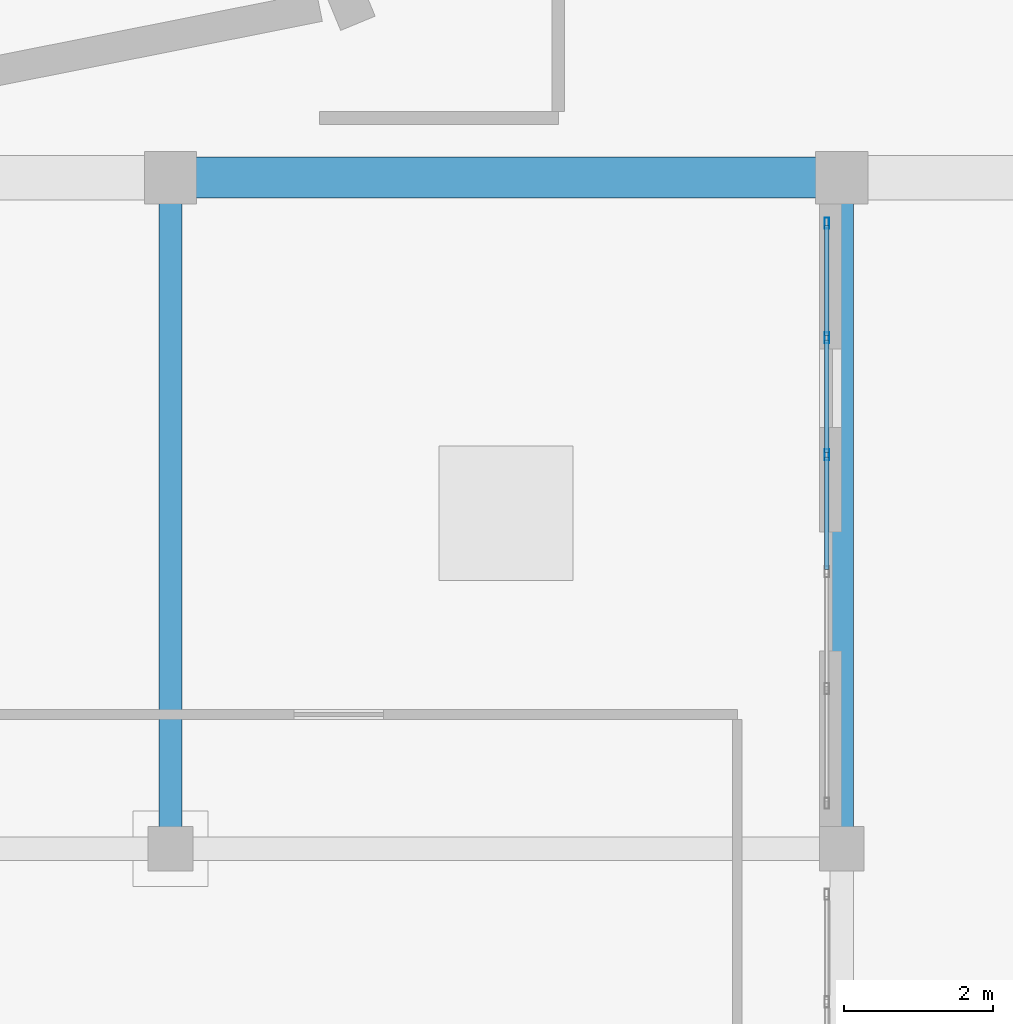
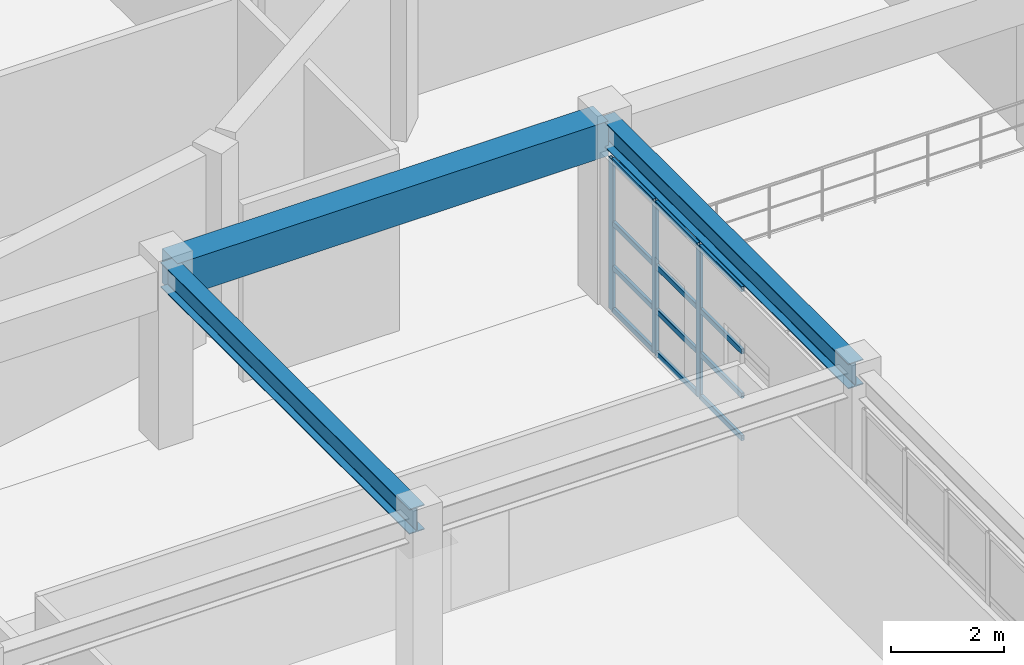
# One storey, part 42 of 110: 15 members, 3 beams, 1 element without a shape of its own.
"""IFC4 building model written with IfcOpenShell, lengths in metres."""

from ifc_helpers import new_model, si_unit, direction, frame, origin, origin_2d, place, context, subcontext, project, spatial, rectangle, hollow_rectangle, i_section, extrude, material, material_profile, profile_set, type_object, element, aggregate, save


model = new_model("IFC4")

# Units and contexts
model_context = context("Model", 3, precision=1e-05, world=origin(), true_north=direction((0.0, 1.0)))
body_context = subcontext(model_context, "Body", "Model", "MODEL_VIEW")
ifc_project = project(units=[si_unit("LENGTHUNIT", "METRE"), si_unit("AREAUNIT", "SQUARE_METRE"), si_unit("VOLUMEUNIT", "CUBIC_METRE"), si_unit("PLANEANGLEUNIT", "RADIAN"), si_unit("MASSUNIT", "GRAM", prefix="KILO")], contexts=[model_context])

# Site, building, storey
site_placement = place(None, origin())
site = spatial("IfcSite", under=ifc_project, at=site_placement, CompositionType="ELEMENT")
building_placement = place(site_placement, origin())
building = spatial("IfcBuilding", under=site, at=building_placement, Name="Miravela Opera House", CompositionType="ELEMENT")
storey_placement = place(building_placement, frame((0.0, 0.0, 13.60009765625)))
storey = spatial("IfcBuildingStorey", under=building, at=storey_placement, Name="L03", CompositionType="ELEMENT", Elevation=13.60009765625)

# Curtain wall, members
ifc_material_1 = material(Name="Anodised architectural bronze aluminium 6063-T6", Category="aluminium")
curtain_wall_type = type_object("IfcCurtainWallType", Name="ARC-CW-08", PredefinedType="NOTDEFINED", material=ifc_material_1)
curtain_wall_placement = place(storey_placement, origin())
curtain_wall = element("IfcCurtainWall", 1, at=curtain_wall_placement, inside=storey, type_object=curtain_wall_type, Name="Courtyard Arcade Curtain Wall CW-L03-203", PredefinedType="NOTDEFINED")
ifc_material_profile_1 = material_profile(ifc_material_1, hollow_rectangle(XDim=0.06005859375, YDim=0.14990234375, WallThickness=0.00390625, InnerFilletRadius=0.001953125, OuterFilletRadius=0.00390625, at=origin_2d()), Name="CWM-60X150")
ifc_profile_set_1 = profile_set([ifc_material_profile_1])
member_type_1 = type_object("IfcMemberType", Name="ARC-CWM-150", PredefinedType="MULLION", material=ifc_profile_set_1)
member_1_placement = place(storey_placement, frame((89.800048828125, 33.283935546875, 0.0), z_axis=(0.0, 0.0, 1.0), x_axis=(-1.0, 0.0, 0.0)))
member_1 = element("IfcMember", 2, at=member_1_placement, type_object=member_type_1, Name="CW-08 mullion 4", PredefinedType="MULLION", context=body_context, shape_type="SweptSolid", body=[
    extrude(hollow_rectangle(XDim=0.06005859375, YDim=0.14990234375, WallThickness=0.00390625, InnerFilletRadius=0.001953125, OuterFilletRadius=0.00390625, at=origin_2d()), origin(), (0.0, 0.0, 1.0), 3.289794921875),
])
member_2_placement = place(storey_placement, frame((89.800048828125, 34.85205078125, 0.0), z_axis=(0.0, 0.0, 1.0), x_axis=(-1.0, 0.0, 0.0)))
member_2 = element("IfcMember", 3, at=member_2_placement, type_object=member_type_1, Name="CW-08 mullion 5", PredefinedType="MULLION", context=body_context, shape_type="SweptSolid", body=[
    extrude(hollow_rectangle(XDim=0.06005859375, YDim=0.14990234375, WallThickness=0.00390625, InnerFilletRadius=0.001953125, OuterFilletRadius=0.00390625, at=origin_2d()), origin(), (0.0, 0.0, 1.0), 3.289794921875),
])
member_3_placement = place(storey_placement, frame((89.800048828125, 36.389892578125, 0.0), z_axis=(0.0, 0.0, 1.0), x_axis=(-1.0, 0.0, 0.0)))
member_3 = element("IfcMember", 4, at=member_3_placement, type_object=member_type_1, Name="CW-08 mullion 6", PredefinedType="MULLION", context=body_context, shape_type="SweptSolid", body=[
    extrude(hollow_rectangle(XDim=0.06005859375, YDim=0.14990234375, WallThickness=0.00390625, InnerFilletRadius=0.001953125, OuterFilletRadius=0.00390625, at=origin_2d()), origin(), (0.0, 0.0, 1.0), 3.289794921875),
])
ifc_material_profile_2 = material_profile(ifc_material_1, hollow_rectangle(XDim=0.06005859375, YDim=0.114990234375, WallThickness=0.00390625, InnerFilletRadius=0.001953125, OuterFilletRadius=0.00390625, at=origin_2d()), Name="CWT-60X115")
ifc_profile_set_2 = profile_set([ifc_material_profile_2])
member_type_2 = type_object("IfcMemberType", Name="ARC-CWT-115", PredefinedType="USERDEFINED", material=ifc_profile_set_2)
member_4_placement = place(storey_placement, frame((89.800048828125, 31.74609375, 0.02978515625), z_axis=(0.0, 1.0, 0.0), x_axis=(-1.0, 0.0, 0.0)))
member_4 = element("IfcMember", 5, at=member_4_placement, type_object=member_type_2, Name="CW-08 transom 3.1", ObjectType="TRANSOM", PredefinedType="USERDEFINED", context=body_context, shape_type="SweptSolid", body=[
    extrude(hollow_rectangle(XDim=0.06005859375, YDim=0.114990234375, WallThickness=0.00390625, InnerFilletRadius=0.001953125, OuterFilletRadius=0.00390625, at=origin_2d()), origin(), (0.0, 0.0, 1.0), 1.5078125),
])
member_5_placement = place(storey_placement, frame((89.800048828125, 31.74609375, 0.949951171875), z_axis=(0.0, 1.0, 0.0), x_axis=(-1.0, 0.0, 0.0)))
member_5 = element("IfcMember", 6, at=member_5_placement, type_object=member_type_2, Name="CW-08 transom 3.2", ObjectType="TRANSOM", PredefinedType="USERDEFINED", context=body_context, shape_type="SweptSolid", body=[
    extrude(hollow_rectangle(XDim=0.06005859375, YDim=0.114990234375, WallThickness=0.00390625, InnerFilletRadius=0.001953125, OuterFilletRadius=0.00390625, at=origin_2d()), origin(), (0.0, 0.0, 1.0), 1.5078125),
])
member_6_placement = place(storey_placement, frame((89.800048828125, 31.74609375, 1.908203125), z_axis=(0.0, 1.0, 0.0), x_axis=(-1.0, 0.0, 0.0)))
member_6 = element("IfcMember", 7, at=member_6_placement, type_object=member_type_2, Name="CW-08 transom 3.3", ObjectType="TRANSOM", PredefinedType="USERDEFINED", context=body_context, shape_type="SweptSolid", body=[
    extrude(hollow_rectangle(XDim=0.06005859375, YDim=0.114990234375, WallThickness=0.00390625, InnerFilletRadius=0.001953125, OuterFilletRadius=0.00390625, at=origin_2d()), origin(), (0.0, 0.0, 1.0), 1.5078125),
])
member_7_placement = place(storey_placement, frame((89.800048828125, 31.74609375, 3.260009765625), z_axis=(0.0, 1.0, 0.0), x_axis=(-1.0, 0.0, 0.0)))
member_7 = element("IfcMember", 8, at=member_7_placement, type_object=member_type_2, Name="CW-08 transom 3.4", ObjectType="TRANSOM", PredefinedType="USERDEFINED", context=body_context, shape_type="SweptSolid", body=[
    extrude(hollow_rectangle(XDim=0.06005859375, YDim=0.114990234375, WallThickness=0.00390625, InnerFilletRadius=0.001953125, OuterFilletRadius=0.00390625, at=origin_2d()), origin(), (0.0, 0.0, 1.0), 1.5078125),
])
member_8_placement = place(storey_placement, frame((89.800048828125, 33.31396484375, 0.02978515625), z_axis=(0.0, 1.0, 0.0), x_axis=(-1.0, 0.0, 0.0)))
member_8 = element("IfcMember", 9, at=member_8_placement, type_object=member_type_2, Name="CW-08 transom 4.1", ObjectType="TRANSOM", PredefinedType="USERDEFINED", context=body_context, shape_type="SweptSolid", body=[
    extrude(hollow_rectangle(XDim=0.06005859375, YDim=0.114990234375, WallThickness=0.00390625, InnerFilletRadius=0.001953125, OuterFilletRadius=0.00390625, at=origin_2d()), origin(), (0.0, 0.0, 1.0), 1.508056640625),
])
member_9_placement = place(storey_placement, frame((89.800048828125, 33.31396484375, 0.949951171875), z_axis=(0.0, 1.0, 0.0), x_axis=(-1.0, 0.0, 0.0)))
member_9 = element("IfcMember", 10, at=member_9_placement, type_object=member_type_2, Name="CW-08 transom 4.2", ObjectType="TRANSOM", PredefinedType="USERDEFINED", context=body_context, shape_type="SweptSolid", body=[
    extrude(hollow_rectangle(XDim=0.06005859375, YDim=0.114990234375, WallThickness=0.00390625, InnerFilletRadius=0.001953125, OuterFilletRadius=0.00390625, at=origin_2d()), origin(), (0.0, 0.0, 1.0), 1.508056640625),
])
member_10_placement = place(storey_placement, frame((89.800048828125, 33.31396484375, 1.908203125), z_axis=(0.0, 1.0, 0.0), x_axis=(-1.0, 0.0, 0.0)))
member_10 = element("IfcMember", 11, at=member_10_placement, type_object=member_type_2, Name="CW-08 transom 4.3", ObjectType="TRANSOM", PredefinedType="USERDEFINED", context=body_context, shape_type="SweptSolid", body=[
    extrude(hollow_rectangle(XDim=0.06005859375, YDim=0.114990234375, WallThickness=0.00390625, InnerFilletRadius=0.001953125, OuterFilletRadius=0.00390625, at=origin_2d()), origin(), (0.0, 0.0, 1.0), 1.508056640625),
])
member_11_placement = place(storey_placement, frame((89.800048828125, 33.31396484375, 3.260009765625), z_axis=(0.0, 1.0, 0.0), x_axis=(-1.0, 0.0, 0.0)))
member_11 = element("IfcMember", 12, at=member_11_placement, type_object=member_type_2, Name="CW-08 transom 4.4", ObjectType="TRANSOM", PredefinedType="USERDEFINED", context=body_context, shape_type="SweptSolid", body=[
    extrude(hollow_rectangle(XDim=0.06005859375, YDim=0.114990234375, WallThickness=0.00390625, InnerFilletRadius=0.001953125, OuterFilletRadius=0.00390625, at=origin_2d()), origin(), (0.0, 0.0, 1.0), 1.508056640625),
])
member_12_placement = place(storey_placement, frame((89.800048828125, 34.882080078125, 0.02978515625), z_axis=(0.0, 1.0, 0.0), x_axis=(-1.0, 0.0, 0.0)))
member_12 = element("IfcMember", 13, at=member_12_placement, type_object=member_type_2, Name="CW-08 transom 5.1", ObjectType="TRANSOM", PredefinedType="USERDEFINED", context=body_context, shape_type="SweptSolid", body=[
    extrude(hollow_rectangle(XDim=0.06005859375, YDim=0.114990234375, WallThickness=0.00390625, InnerFilletRadius=0.001953125, OuterFilletRadius=0.00390625, at=origin_2d()), origin(), (0.0, 0.0, 1.0), 1.47802734375),
])
member_13_placement = place(storey_placement, frame((89.800048828125, 34.882080078125, 0.949951171875), z_axis=(0.0, 1.0, 0.0), x_axis=(-1.0, 0.0, 0.0)))
member_13 = element("IfcMember", 14, at=member_13_placement, type_object=member_type_2, Name="CW-08 transom 5.2", ObjectType="TRANSOM", PredefinedType="USERDEFINED", context=body_context, shape_type="SweptSolid", body=[
    extrude(hollow_rectangle(XDim=0.06005859375, YDim=0.114990234375, WallThickness=0.00390625, InnerFilletRadius=0.001953125, OuterFilletRadius=0.00390625, at=origin_2d()), origin(), (0.0, 0.0, 1.0), 1.47802734375),
])
member_14_placement = place(storey_placement, frame((89.800048828125, 34.882080078125, 1.908203125), z_axis=(0.0, 1.0, 0.0), x_axis=(-1.0, 0.0, 0.0)))
member_14 = element("IfcMember", 15, at=member_14_placement, type_object=member_type_2, Name="CW-08 transom 5.3", ObjectType="TRANSOM", PredefinedType="USERDEFINED", context=body_context, shape_type="SweptSolid", body=[
    extrude(hollow_rectangle(XDim=0.06005859375, YDim=0.114990234375, WallThickness=0.00390625, InnerFilletRadius=0.001953125, OuterFilletRadius=0.00390625, at=origin_2d()), origin(), (0.0, 0.0, 1.0), 1.47802734375),
])
member_15_placement = place(storey_placement, frame((89.800048828125, 34.882080078125, 3.260009765625), z_axis=(0.0, 1.0, 0.0), x_axis=(-1.0, 0.0, 0.0)))
member_15 = element("IfcMember", 16, at=member_15_placement, type_object=member_type_2, Name="CW-08 transom 5.4", ObjectType="TRANSOM", PredefinedType="USERDEFINED", context=body_context, shape_type="SweptSolid", body=[
    extrude(hollow_rectangle(XDim=0.06005859375, YDim=0.114990234375, WallThickness=0.00390625, InnerFilletRadius=0.001953125, OuterFilletRadius=0.00390625, at=origin_2d()), origin(), (0.0, 0.0, 1.0), 1.47802734375),
])
aggregate(curtain_wall, [member_1, member_2, member_3, member_4, member_5, member_6, member_7, member_8, member_9, member_10, member_11, member_12, member_13, member_14, member_15])

# Beams
ifc_material_2 = material(Name="Concrete C35/45", Category="concrete")
ifc_material_profile_3 = material_profile(ifc_material_2, rectangle(XDim=0.550048828125, YDim=0.75, at=origin_2d()), Name="RC-BM-550X750")
ifc_profile_set_3 = profile_set([ifc_material_profile_3])
beam_type_1 = type_object("IfcBeamType", Name="STR-BM-RC550X750", PredefinedType="BEAM", material=ifc_profile_set_3)
beam_placement = place(storey_placement, frame((81.080078125, 37.0, 3.46484375), z_axis=(1.0, 0.0, 0.0), x_axis=(0.0, 1.0, 0.0)))
element("IfcBeam", 17, at=beam_placement, inside=storey, type_object=beam_type_1, Name="Floor Girder L03 10-11/E", PredefinedType="BEAM", context=body_context, shape_type="SweptSolid", body=[
    extrude(rectangle(XDim=0.550048828125, YDim=0.75, at=origin_2d()), origin(), (0.0, 0.0, 1.0), 8.83984375),
])
ifc_material_3 = material(Name="Structural steel ASTM A992 Gr. 50", Category="steel")
ifc_material_profile_4 = material_profile(ifc_material_3, i_section(OverallWidth=0.31201171875, OverallDepth=0.54296875, WebThickness=0.0126953125, FlangeThickness=0.020263671875, FilletRadius=0.01611328125, at=origin_2d()), Name="W530X150")
ifc_profile_set_4 = profile_set([ifc_material_profile_4])
beam_type_2 = type_object("IfcBeamType", Name="STR-BM-W530X150", PredefinedType="BEAM", material=ifc_profile_set_4)
for number, where, z_axis, x_axis, name in (
    (18, (81.0, 28.080078125, 3.568359375), (0.0, 1.0, 0.0), (-1.0, 0.0, 0.0), "Roof King-Post Transverse Tie Girder ROOF-V4-WEST-N T7.1"),
    (19, (90.0, 28.080078125, 3.568359375), (0.0, 1.0, 0.0), (-1.0, 0.0, 0.0), "Roof King-Post Transverse Tie Girder ROOF-V4-WEST-N T8.1"),
):
    element("IfcBeam", number, at=place(storey_placement, frame(where, z_axis=z_axis, x_axis=x_axis)), inside=storey, type_object=beam_type_2, Name=name, PredefinedType="BEAM", context=body_context, shape_type="SweptSolid", body=[
        extrude(i_section(OverallWidth=0.31201171875, OverallDepth=0.54296875, WebThickness=0.0126953125, FlangeThickness=0.020263671875, FilletRadius=0.01611328125, at=origin_2d()), origin(), (0.0, 0.0, 1.0), 8.83984375),
    ])

save(model, "model.ifc")
